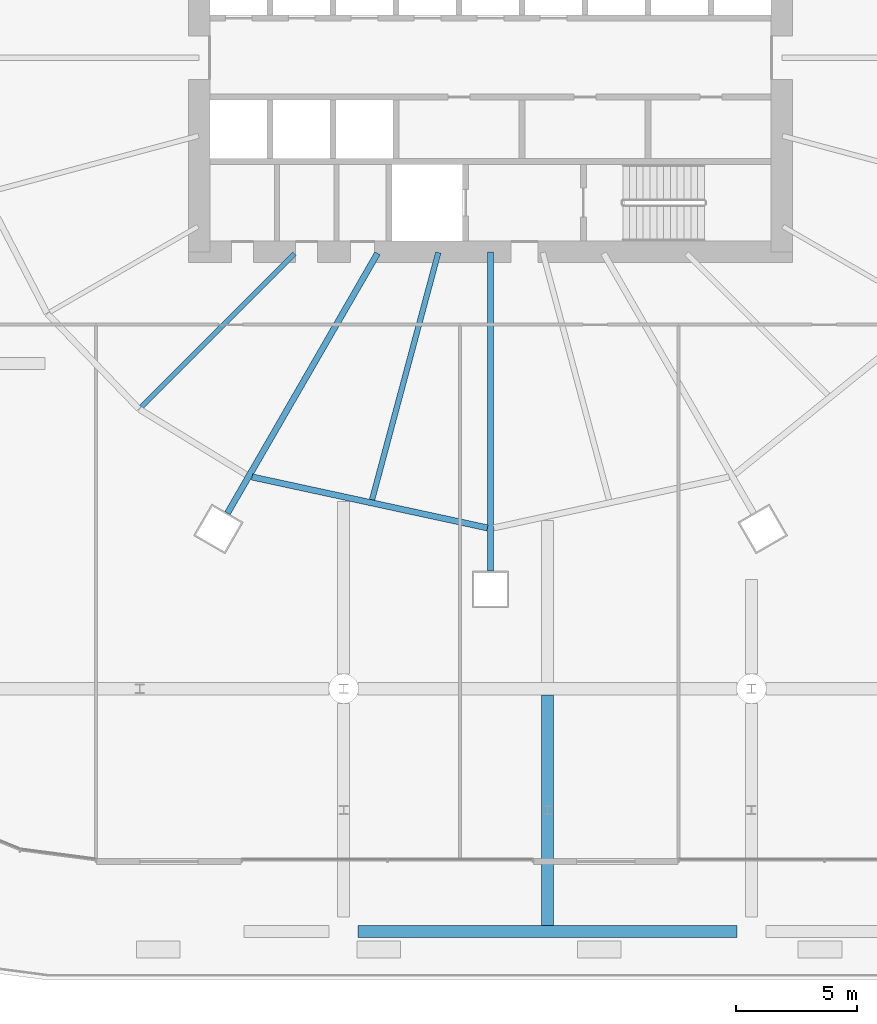
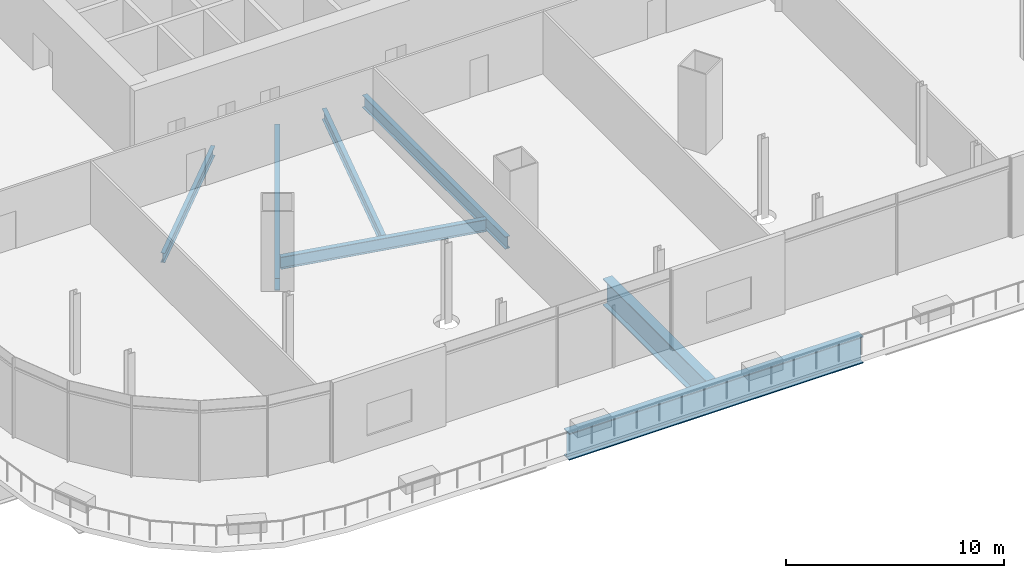
# One storey, part 14 of 56: 7 beams.
"""IFC4 building model written with IfcOpenShell, lengths in metres."""

from ifc_helpers import new_model, si_unit, direction, frame, origin, origin_2d, place, context, subcontext, project, spatial, i_section, extrude, material, material_profile, profile_set, type_object, element, save


model = new_model("IFC4")

# Units and contexts
model_context = context("Model", 3, precision=1e-05, world=origin(), true_north=direction((0.0, 1.0)))
body_context = subcontext(model_context, "Body", "Model", "MODEL_VIEW")
ifc_project = project(units=[si_unit("LENGTHUNIT", "METRE"), si_unit("AREAUNIT", "SQUARE_METRE"), si_unit("VOLUMEUNIT", "CUBIC_METRE"), si_unit("PLANEANGLEUNIT", "RADIAN"), si_unit("MASSUNIT", "GRAM", prefix="KILO")], contexts=[model_context])

# Site, building, storey
site_placement = place(None, origin())
site = spatial("IfcSite", under=ifc_project, at=site_placement, CompositionType="ELEMENT")
building_placement = place(site_placement, origin())
building = spatial("IfcBuilding", under=site, at=building_placement, Name="Rimbun Link Towers", CompositionType="ELEMENT")
storey_placement = place(building_placement, frame((0.0, 0.0, 16.5)))
storey = spatial("IfcBuildingStorey", under=building, at=storey_placement, Name="L03", CompositionType="ELEMENT", Elevation=16.5)

# Beams
ifc_material_1 = material(Name="Steel S355J2", Category="steel")
ifc_material_profile_1 = material_profile(ifc_material_1, i_section(OverallWidth=0.5, OverallDepth=1.5, WebThickness=0.030029296875, FlangeThickness=0.050048828125, at=origin_2d()), Name="PG 1500x500x30/50")
ifc_profile_set_1 = profile_set([ifc_material_profile_1], Name="Steel S355J2")
beam_type_1 = type_object("IfcBeamType", Name="PG 1500x500x30/50", PredefinedType="BEAM", material=ifc_profile_set_1)
beam_1_placement = place(storey_placement, frame((-37.199951171875, -36.0, -1.050048828125), z_axis=(1.0, 0.0, 0.0), x_axis=(0.0, 1.0, 0.0)))
element("IfcBeam", 1, at=beam_1_placement, inside=storey, type_object=beam_type_1, Name="Grid beam L03 -36.0", PredefinedType="BEAM", context=body_context, shape_type="SweptSolid", body=[
    extrude(i_section(OverallWidth=0.5, OverallDepth=1.5, WebThickness=0.030029296875, FlangeThickness=0.050048828125, at=origin_2d()), origin(), (0.0, 0.0, 1.0), 15.599853515625),
])
beam_2_placement = place(storey_placement, frame((-29.39990234375, -35.75, -1.050048828125), z_axis=(0.0, 1.0, 0.0), x_axis=(-1.0, 0.0, 0.0)))
element("IfcBeam", 2, at=beam_2_placement, inside=storey, type_object=beam_type_1, Name="Grid beam L03 -29.4", PredefinedType="BEAM", context=body_context, shape_type="SweptSolid", body=[
    extrude(i_section(OverallWidth=0.5, OverallDepth=1.5, WebThickness=0.030029296875, FlangeThickness=0.050048828125, at=origin_2d()), origin(), (0.0, 0.0, 1.0), 9.5),
])
ifc_material_2 = material(Name="Steel S355J2", Category="steel")
ifc_material_profile_2 = material_profile(ifc_material_2, i_section(OverallWidth=0.209228515625, OverallDepth=0.533203125, WebThickness=0.010009765625, FlangeThickness=0.015625, at=origin_2d()), Name="UB 533x210x92")
ifc_profile_set_2 = profile_set([ifc_material_profile_2], Name="Steel S355J2")
beam_type_2 = type_object("IfcBeamType", Name="UB 533x210x92", PredefinedType="BEAM", material=ifc_profile_set_2)
beam_3_placement = place(storey_placement, frame((-39.82470703125, -8.07470703125, -0.566650390625), z_axis=(-0.707106781187, -0.707106781187, 0.0), x_axis=(0.707106781187, -0.707106781187, 0.0)))
element("IfcBeam", 3, at=beam_3_placement, inside=storey, type_object=beam_type_2, Name="Radial beam T1 L03 15", PredefinedType="BEAM", context=body_context, shape_type="SweptSolid", body=[
    extrude(i_section(OverallWidth=0.209228515625, OverallDepth=0.533203125, WebThickness=0.010009765625, FlangeThickness=0.015625, at=origin_2d()), origin(), (0.0, 0.0, 1.0), 8.9287109375),
])
ifc_material_3 = material(Name="Steel S355J2", Category="steel")
ifc_material_profile_3 = material_profile(ifc_material_3, i_section(OverallWidth=0.2275390625, OverallDepth=0.6025390625, WebThickness=0.010498046875, FlangeThickness=0.014892578125, at=origin_2d()), Name="UB 610x229x101")
ifc_profile_set_3 = profile_set([ifc_material_profile_3], Name="Steel S355J2")
beam_type_3 = type_object("IfcBeamType", Name="UB 610x229x101", PredefinedType="BEAM", material=ifc_profile_set_3)
beam_4_placement = place(storey_placement, frame((-33.901611328125, -8.030517578125, -0.601318359375), z_axis=(-0.258844096103, -0.965919113545, 0.0), x_axis=(0.965919113545, -0.258844096103, 0.0)))
element("IfcBeam", 4, at=beam_4_placement, inside=storey, type_object=beam_type_3, Name="Radial beam T1 L03 17", PredefinedType="BEAM", context=body_context, shape_type="SweptSolid", body=[
    extrude(i_section(OverallWidth=0.2275390625, OverallDepth=0.6025390625, WebThickness=0.010498046875, FlangeThickness=0.014892578125, at=origin_2d()), origin(), (0.0, 0.0, 1.0), 10.544921875),
])
ifc_material_4 = material(Name="Steel S355J2", Category="steel")
ifc_material_profile_4 = material_profile(ifc_material_4, i_section(OverallWidth=0.253662109375, OverallDepth=0.68359375, WebThickness=0.012451171875, FlangeThickness=0.01904296875, at=origin_2d()), Name="UB 686x254x140")
ifc_profile_set_4 = profile_set([ifc_material_profile_4], Name="Steel S355J2")
beam_type_4 = type_object("IfcBeamType", Name="UB 686x254x140", PredefinedType="BEAM", material=ifc_profile_set_4)
beam_5_placement = place(storey_placement, frame((-36.406005859375, -8.064208984375, -0.641845703125), z_axis=(-0.499992594562, -0.866029679274, 0.0), x_axis=(0.866029679274, -0.499992594562, 0.0)))
element("IfcBeam", 5, at=beam_5_placement, inside=storey, type_object=beam_type_4, Name="Radial beam T1 L03 16", PredefinedType="BEAM", context=body_context, shape_type="SweptSolid", body=[
    extrude(i_section(OverallWidth=0.253662109375, OverallDepth=0.68359375, WebThickness=0.012451171875, FlangeThickness=0.01904296875, at=origin_2d()), origin(), (0.0, 0.0, 1.0), 12.360595703125),
])
beam_6_placement = place(storey_placement, frame((-31.75, -8.0009765625, -0.641845703125), z_axis=(0.0, -1.0, 0.0), x_axis=(1.0, 0.0, 0.0)))
element("IfcBeam", 6, at=beam_6_placement, inside=storey, type_object=beam_type_4, Name="Radial beam T1 L03 18", PredefinedType="BEAM", context=body_context, shape_type="SweptSolid", body=[
    extrude(i_section(OverallWidth=0.253662109375, OverallDepth=0.68359375, WebThickness=0.012451171875, FlangeThickness=0.01904296875, at=origin_2d()), origin(), (0.0, 0.0, 1.0), 13.1533203125),
])
beam_7_placement = place(storey_placement, frame((-41.577392578125, -17.27685546875, -0.641845703125), z_axis=(0.977390124833, -0.211443949734, 0.0), x_axis=(0.211443949734, 0.977390124833, 0.0)))
element("IfcBeam", 7, at=beam_7_placement, inside=storey, type_object=beam_type_4, Name="Edge beam T1 L03 16-18", PredefinedType="BEAM", context=body_context, shape_type="SweptSolid", body=[
    extrude(i_section(OverallWidth=0.253662109375, OverallDepth=0.68359375, WebThickness=0.012451171875, FlangeThickness=0.01904296875, at=origin_2d()), origin(), (0.0, 0.0, 1.0), 9.924072265625),
])

save(model, "model.ifc")
